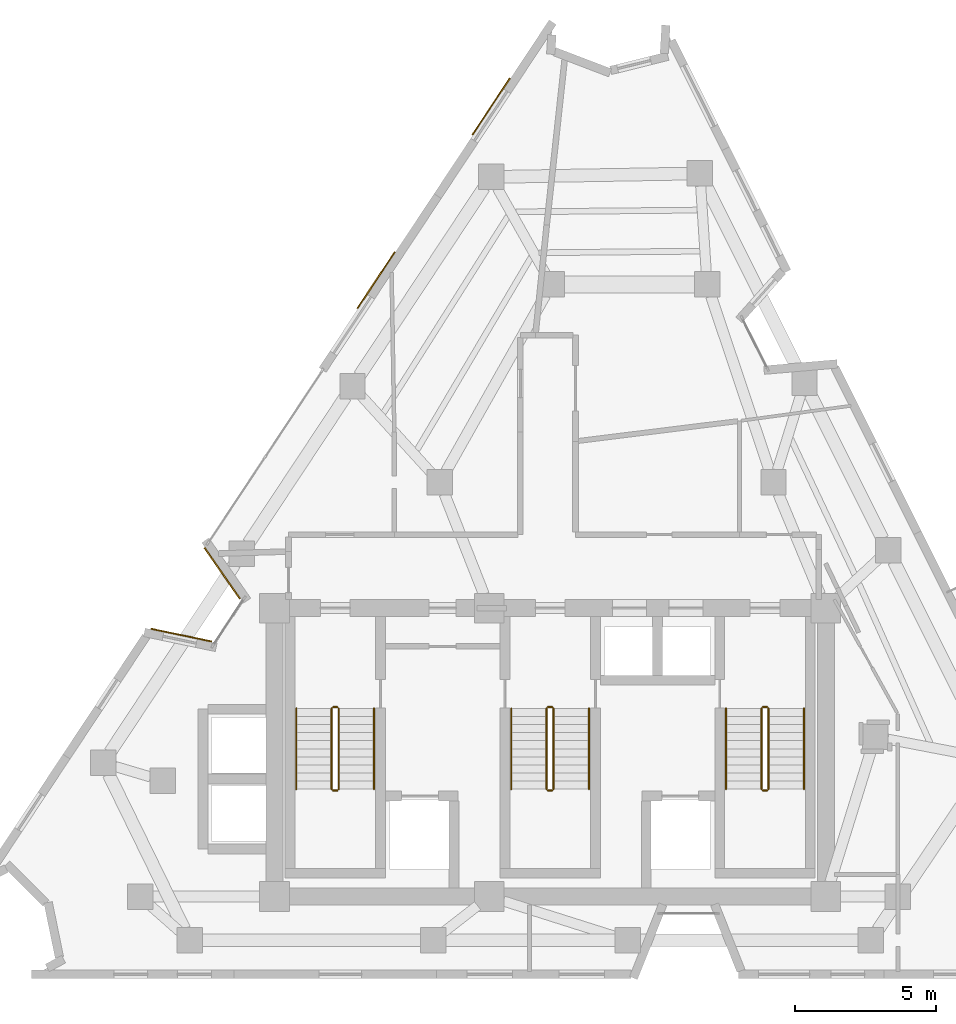
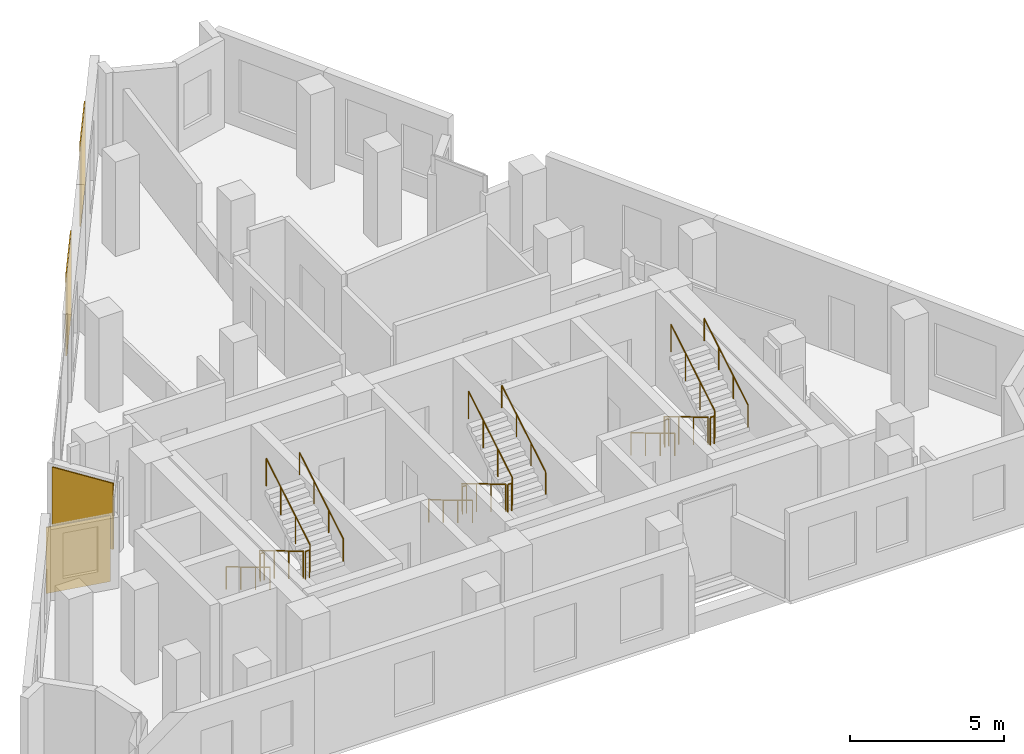
# One storey, part 8 of 9: 18 railings, 4 coverings.
"""IFC4 building model written with IfcOpenShell, lengths in metres."""

from ifc_helpers import new_model, si_unit, direction, frame, origin, origin_2d, place, context, subcontext, project, spatial, rectangle, circle, extrude, material, layer, layer_set, type_object, element, save


model = new_model("IFC4")

# Units and contexts
model_context = context("Model", 3, precision=1e-05, world=origin(), true_north=direction((0.0, 1.0)))
body_context = subcontext(model_context, "Body", "Model", "MODEL_VIEW")
ifc_project = project(units=[si_unit("LENGTHUNIT", "METRE"), si_unit("AREAUNIT", "SQUARE_METRE"), si_unit("VOLUMEUNIT", "CUBIC_METRE"), si_unit("PLANEANGLEUNIT", "RADIAN"), si_unit("MASSUNIT", "GRAM", prefix="KILO")], contexts=[model_context])

# Site, building, storey
site_placement = place(None, origin())
site = spatial("IfcSite", under=ifc_project, at=site_placement, CompositionType="ELEMENT")
building_placement = place(site_placement, origin())
building = spatial("IfcBuilding", under=site, at=building_placement, Name="Almagre Mirador Tower", CompositionType="ELEMENT")
storey_placement = place(building_placement, frame((0.0, 0.0, 267.0)))
storey = spatial("IfcBuildingStorey", under=building, at=storey_placement, Name="L69", CompositionType="ELEMENT", Elevation=267.0)

# Coverings
ifc_material_1 = material(Name="Almagre terracotta architectural cladding", Category="masonry")
ifc_layer = layer(ifc_material_1, 0.044921875)
ifc_layer_set = layer_set([ifc_layer], Name="Almagre terracotta architectural cladding")
covering_type = type_object("IfcCoveringType", Name="COV-CLAD-ALMAGRE", PredefinedType="CLADDING", material=ifc_layer_set)
for number, where, z_axis, x_axis, name in (
    (1, (24.25537109375, 13.794921875, 0.10009765625), (0.0, 0.0, 1.0), (0.978774490615, -0.204940226702, 0.0), "L69 almagre terracotta pier cladding"),
    (2, (25.704345703125, 15.98291015625, 0.10009765625), (0.0, 0.0, 1.0), (-0.570742230851, 0.821129286972, 0.0), "L69 almagre terracotta pier cladding"),
):
    element("IfcCovering", number, at=place(storey_placement, frame(where, z_axis=z_axis, x_axis=x_axis)), inside=storey, type_object=covering_type, Name=name, PredefinedType="CLADDING", context=body_context, shape_type="SweptSolid", body=[
        extrude(rectangle(XDim=2.193115234375, YDim=0.044921875, at=origin_2d()), origin(), (0.0, 0.0, 1.0), 2.625),
    ])
for number, where, z_axis, x_axis, name in (
    (3, (31.145263671875, 26.34326171875, 0.10009765625), (0.0, 0.0, 1.0), (0.552082517437, 0.83378947819, 0.0), "L69 almagre terracotta pier cladding"),
    (4, (35.2138671875, 32.48779296875, 0.10009765625), (0.0, 0.0, 1.0), (0.552082517437, 0.83378947819, 0.0), "L69 almagre terracotta pier cladding"),
):
    element("IfcCovering", number, at=place(storey_placement, frame(where, z_axis=z_axis, x_axis=x_axis)), inside=storey, type_object=covering_type, Name=name, PredefinedType="CLADDING", context=body_context, shape_type="SweptSolid", body=[
        extrude(rectangle(XDim=2.39990234375, YDim=0.044921875, at=origin_2d()), origin(), (0.0, 0.0, 1.0), 3.300048828125),
    ])

# Railings
ifc_material_2 = material(Name="Painted galvanized steel", Category="steel")
railing_type_1 = type_object("IfcRailingType", Name="RLG-GRD-1100", PredefinedType="GUARDRAIL", material=ifc_material_2)
railing_1_placement = place(storey_placement, frame((29.574951171875, 11.199951171875, 0.17041015625)))
element("IfcRailing", 5, at=railing_1_placement, inside=storey, type_object=railing_type_1, Name="L69 ST-1 stair guard 1", PredefinedType="GUARDRAIL", context=body_context, shape_type="SweptSolid", body=[
    extrude(circle(Radius=0.02392578125, at=origin_2d()), frame((0.0, 0.0, 1.09619140625), z_axis=(0.0, -0.858199205511, 0.513316786848), x_axis=(1.0, 0.0, 0.0)), (0.0, 0.0, 1.0), 3.32080078125),
    extrude(circle(Radius=0.02099609375, at=origin_2d()), origin(), (0.0, 0.0, 1.0), 1.072021484375),
    extrude(circle(Radius=0.02099609375, at=origin_2d()), frame((0.0, -0.949951171875, 0.568115234375)), (0.0, 0.0, 1.0), 1.072021484375),
    extrude(circle(Radius=0.02099609375, at=origin_2d()), frame((0.0, -1.89990234375, 1.136474609375)), (0.0, 0.0, 1.0), 1.072021484375),
    extrude(circle(Radius=0.02099609375, at=origin_2d()), frame((0.0, -2.849853515625, 1.70458984375)), (0.0, 0.0, 1.0), 1.072021484375),
])
railing_2_placement = place(storey_placement, frame((29.625, 8.300048828125, 1.875)))
element("IfcRailing", 6, at=railing_2_placement, inside=storey, type_object=railing_type_1, Name="L69 ST-1 stair guard 2", PredefinedType="GUARDRAIL", context=body_context, shape_type="SweptSolid", body=[
    extrude(circle(Radius=0.02392578125, at=origin_2d()), frame((0.0, 0.0, 1.09619140625), z_axis=(1.0, 0.0, 0.0), x_axis=(0.0, 1.0, 0.0)), (0.0, 0.0, 1.0), 0.14990234375),
    extrude(circle(Radius=0.02099609375, at=origin_2d()), origin(), (0.0, 0.0, 1.0), 1.072021484375),
    extrude(circle(Radius=0.02099609375, at=origin_2d()), frame((0.14990234375, 0.0, 0.0)), (0.0, 0.0, 1.0), 1.072021484375),
])
railing_3_placement = place(storey_placement, frame((29.824951171875, 8.35009765625, 2.04541015625)))
element("IfcRailing", 7, at=railing_3_placement, inside=storey, type_object=railing_type_1, Name="L69 ST-1 stair guard 3", PredefinedType="GUARDRAIL", context=body_context, shape_type="SweptSolid", body=[
    extrude(circle(Radius=0.02392578125, at=origin_2d()), frame((0.0, 0.0, 1.09619140625), z_axis=(0.0, 0.858199205511, 0.513316786848), x_axis=(-1.0, 0.0, 0.0)), (0.0, 0.0, 1.0), 3.32080078125),
    extrude(circle(Radius=0.02099609375, at=origin_2d()), origin(), (0.0, 0.0, 1.0), 1.072021484375),
    extrude(circle(Radius=0.02099609375, at=origin_2d()), frame((0.0, 0.949951171875, 0.568115234375)), (0.0, 0.0, 1.0), 1.072021484375),
    extrude(circle(Radius=0.02099609375, at=origin_2d()), frame((0.0, 1.89990234375, 1.136474609375)), (0.0, 0.0, 1.0), 1.072021484375),
    extrude(circle(Radius=0.02099609375, at=origin_2d()), frame((0.0, 2.849853515625, 1.70458984375)), (0.0, 0.0, 1.0), 1.072021484375),
])
railing_4_placement = place(storey_placement, frame((29.625, 11.25, 0.0)))
element("IfcRailing", 8, at=railing_4_placement, inside=storey, type_object=railing_type_1, Name="L69 ST-1 stair guard 4", PredefinedType="GUARDRAIL", context=body_context, shape_type="SweptSolid", body=[
    extrude(circle(Radius=0.02392578125, at=origin_2d()), frame((0.0, 0.0, 1.09619140625), z_axis=(1.0, 0.0, 0.0), x_axis=(0.0, 1.0, 0.0)), (0.0, 0.0, 1.0), 0.14990234375),
    extrude(circle(Radius=0.02099609375, at=origin_2d()), origin(), (0.0, 0.0, 1.0), 1.072021484375),
    extrude(circle(Radius=0.02099609375, at=origin_2d()), frame((0.14990234375, 0.0, 0.0)), (0.0, 0.0, 1.0), 1.072021484375),
])
railing_5_placement = place(storey_placement, frame((37.175048828125, 11.199951171875, 0.17041015625)))
element("IfcRailing", 9, at=railing_5_placement, inside=storey, type_object=railing_type_1, Name="L69 ST-2 stair guard 1", PredefinedType="GUARDRAIL", context=body_context, shape_type="SweptSolid", body=[
    extrude(circle(Radius=0.02392578125, at=origin_2d()), frame((0.0, 0.0, 1.09619140625), z_axis=(0.0, -0.858199205511, 0.513316786848), x_axis=(1.0, 0.0, 0.0)), (0.0, 0.0, 1.0), 3.32080078125),
    extrude(circle(Radius=0.02099609375, at=origin_2d()), origin(), (0.0, 0.0, 1.0), 1.072021484375),
    extrude(circle(Radius=0.02099609375, at=origin_2d()), frame((0.0, -0.949951171875, 0.568115234375)), (0.0, 0.0, 1.0), 1.072021484375),
    extrude(circle(Radius=0.02099609375, at=origin_2d()), frame((0.0, -1.89990234375, 1.136474609375)), (0.0, 0.0, 1.0), 1.072021484375),
    extrude(circle(Radius=0.02099609375, at=origin_2d()), frame((0.0, -2.849853515625, 1.70458984375)), (0.0, 0.0, 1.0), 1.072021484375),
])
railing_6_placement = place(storey_placement, frame((37.22509765625, 8.300048828125, 1.875)))
element("IfcRailing", 10, at=railing_6_placement, inside=storey, type_object=railing_type_1, Name="L69 ST-2 stair guard 2", PredefinedType="GUARDRAIL", context=body_context, shape_type="SweptSolid", body=[
    extrude(circle(Radius=0.02392578125, at=origin_2d()), frame((0.0, 0.0, 1.09619140625), z_axis=(1.0, 0.0, 0.0), x_axis=(0.0, 1.0, 0.0)), (0.0, 0.0, 1.0), 0.14990234375),
    extrude(circle(Radius=0.02099609375, at=origin_2d()), origin(), (0.0, 0.0, 1.0), 1.072021484375),
    extrude(circle(Radius=0.02099609375, at=origin_2d()), frame((0.14990234375, 0.0, 0.0)), (0.0, 0.0, 1.0), 1.072021484375),
])
railing_7_placement = place(storey_placement, frame((37.425048828125, 8.35009765625, 2.04541015625)))
element("IfcRailing", 11, at=railing_7_placement, inside=storey, type_object=railing_type_1, Name="L69 ST-2 stair guard 3", PredefinedType="GUARDRAIL", context=body_context, shape_type="SweptSolid", body=[
    extrude(circle(Radius=0.02392578125, at=origin_2d()), frame((0.0, 0.0, 1.09619140625), z_axis=(0.0, 0.858199205511, 0.513316786848), x_axis=(-1.0, 0.0, 0.0)), (0.0, 0.0, 1.0), 3.32080078125),
    extrude(circle(Radius=0.02099609375, at=origin_2d()), origin(), (0.0, 0.0, 1.0), 1.072021484375),
    extrude(circle(Radius=0.02099609375, at=origin_2d()), frame((0.0, 0.949951171875, 0.568115234375)), (0.0, 0.0, 1.0), 1.072021484375),
    extrude(circle(Radius=0.02099609375, at=origin_2d()), frame((0.0, 1.89990234375, 1.136474609375)), (0.0, 0.0, 1.0), 1.072021484375),
    extrude(circle(Radius=0.02099609375, at=origin_2d()), frame((0.0, 2.849853515625, 1.70458984375)), (0.0, 0.0, 1.0), 1.072021484375),
])
railing_8_placement = place(storey_placement, frame((37.22509765625, 11.25, 0.0)))
element("IfcRailing", 12, at=railing_8_placement, inside=storey, type_object=railing_type_1, Name="L69 ST-2 stair guard 4", PredefinedType="GUARDRAIL", context=body_context, shape_type="SweptSolid", body=[
    extrude(circle(Radius=0.02392578125, at=origin_2d()), frame((0.0, 0.0, 1.09619140625), z_axis=(1.0, 0.0, 0.0), x_axis=(0.0, 1.0, 0.0)), (0.0, 0.0, 1.0), 0.14990234375),
    extrude(circle(Radius=0.02099609375, at=origin_2d()), origin(), (0.0, 0.0, 1.0), 1.072021484375),
    extrude(circle(Radius=0.02099609375, at=origin_2d()), frame((0.14990234375, 0.0, 0.0)), (0.0, 0.0, 1.0), 1.072021484375),
])
railing_9_placement = place(storey_placement, frame((44.77490234375, 11.199951171875, 0.17041015625)))
element("IfcRailing", 13, at=railing_9_placement, inside=storey, type_object=railing_type_1, Name="L69 ST-3 stair guard 1", PredefinedType="GUARDRAIL", context=body_context, shape_type="SweptSolid", body=[
    extrude(circle(Radius=0.02392578125, at=origin_2d()), frame((0.0, 0.0, 1.09619140625), z_axis=(0.0, -0.858199205511, 0.513316786848), x_axis=(1.0, 0.0, 0.0)), (0.0, 0.0, 1.0), 3.32080078125),
    extrude(circle(Radius=0.02099609375, at=origin_2d()), origin(), (0.0, 0.0, 1.0), 1.072021484375),
    extrude(circle(Radius=0.02099609375, at=origin_2d()), frame((0.0, -0.949951171875, 0.568115234375)), (0.0, 0.0, 1.0), 1.072021484375),
    extrude(circle(Radius=0.02099609375, at=origin_2d()), frame((0.0, -1.89990234375, 1.136474609375)), (0.0, 0.0, 1.0), 1.072021484375),
    extrude(circle(Radius=0.02099609375, at=origin_2d()), frame((0.0, -2.849853515625, 1.70458984375)), (0.0, 0.0, 1.0), 1.072021484375),
])
railing_10_placement = place(storey_placement, frame((44.824951171875, 8.300048828125, 1.875)))
element("IfcRailing", 14, at=railing_10_placement, inside=storey, type_object=railing_type_1, Name="L69 ST-3 stair guard 2", PredefinedType="GUARDRAIL", context=body_context, shape_type="SweptSolid", body=[
    extrude(circle(Radius=0.02392578125, at=origin_2d()), frame((0.0, 0.0, 1.09619140625), z_axis=(1.0, 0.0, 0.0), x_axis=(0.0, 1.0, 0.0)), (0.0, 0.0, 1.0), 0.150146484375),
    extrude(circle(Radius=0.02099609375, at=origin_2d()), origin(), (0.0, 0.0, 1.0), 1.072021484375),
    extrude(circle(Radius=0.02099609375, at=origin_2d()), frame((0.150146484375, 0.0, 0.0)), (0.0, 0.0, 1.0), 1.072021484375),
])
railing_11_placement = place(storey_placement, frame((45.02490234375, 8.35009765625, 2.04541015625)))
element("IfcRailing", 15, at=railing_11_placement, inside=storey, type_object=railing_type_1, Name="L69 ST-3 stair guard 3", PredefinedType="GUARDRAIL", context=body_context, shape_type="SweptSolid", body=[
    extrude(circle(Radius=0.02392578125, at=origin_2d()), frame((0.0, 0.0, 1.09619140625), z_axis=(0.0, 0.858199205511, 0.513316786848), x_axis=(-1.0, 0.0, 0.0)), (0.0, 0.0, 1.0), 3.32080078125),
    extrude(circle(Radius=0.02099609375, at=origin_2d()), origin(), (0.0, 0.0, 1.0), 1.072021484375),
    extrude(circle(Radius=0.02099609375, at=origin_2d()), frame((0.0, 0.949951171875, 0.568115234375)), (0.0, 0.0, 1.0), 1.072021484375),
    extrude(circle(Radius=0.02099609375, at=origin_2d()), frame((0.0, 1.89990234375, 1.136474609375)), (0.0, 0.0, 1.0), 1.072021484375),
    extrude(circle(Radius=0.02099609375, at=origin_2d()), frame((0.0, 2.849853515625, 1.70458984375)), (0.0, 0.0, 1.0), 1.072021484375),
])
railing_12_placement = place(storey_placement, frame((44.824951171875, 11.25, 0.0)))
element("IfcRailing", 16, at=railing_12_placement, inside=storey, type_object=railing_type_1, Name="L69 ST-3 stair guard 4", PredefinedType="GUARDRAIL", context=body_context, shape_type="SweptSolid", body=[
    extrude(circle(Radius=0.02392578125, at=origin_2d()), frame((0.0, 0.0, 1.09619140625), z_axis=(1.0, 0.0, 0.0), x_axis=(0.0, 1.0, 0.0)), (0.0, 0.0, 1.0), 0.150146484375),
    extrude(circle(Radius=0.02099609375, at=origin_2d()), origin(), (0.0, 0.0, 1.0), 1.072021484375),
    extrude(circle(Radius=0.02099609375, at=origin_2d()), frame((0.150146484375, 0.0, 0.0)), (0.0, 0.0, 1.0), 1.072021484375),
])
ifc_material_3 = material(Name="Brushed stainless steel", Category="steel")
railing_type_2 = type_object("IfcRailingType", Name="RLG-HND-915", PredefinedType="HANDRAIL", material=ifc_material_3)
railing_13_placement = place(storey_placement, frame((28.324951171875, 11.199951171875, 0.17041015625)))
element("IfcRailing", 17, at=railing_13_placement, inside=storey, type_object=railing_type_2, Name="L69 ST-1 stair handrail 1", PredefinedType="HANDRAIL", context=body_context, shape_type="SweptSolid", body=[
    extrude(circle(Radius=0.02392578125, at=origin_2d()), frame((0.0, 0.0, 0.89111328125), z_axis=(0.0, -0.858199205511, 0.513316786848), x_axis=(1.0, 0.0, 0.0)), (0.0, 0.0, 1.0), 3.32080078125),
    extrude(circle(Radius=0.02099609375, at=origin_2d()), origin(), (0.0, 0.0, 1.0), 0.866943359375),
    extrude(circle(Radius=0.02099609375, at=origin_2d()), frame((0.0, -0.949951171875, 0.568115234375)), (0.0, 0.0, 1.0), 0.866943359375),
    extrude(circle(Radius=0.02099609375, at=origin_2d()), frame((0.0, -1.89990234375, 1.136474609375)), (0.0, 0.0, 1.0), 0.866943359375),
    extrude(circle(Radius=0.02099609375, at=origin_2d()), frame((0.0, -2.849853515625, 1.70458984375)), (0.0, 0.0, 1.0), 0.866943359375),
])
railing_14_placement = place(storey_placement, frame((31.074951171875, 8.35009765625, 2.04541015625)))
element("IfcRailing", 18, at=railing_14_placement, inside=storey, type_object=railing_type_2, Name="L69 ST-1 stair handrail 2", PredefinedType="HANDRAIL", context=body_context, shape_type="SweptSolid", body=[
    extrude(circle(Radius=0.02392578125, at=origin_2d()), frame((0.0, 0.0, 0.89111328125), z_axis=(0.0, 0.858199205511, 0.513316786848), x_axis=(-1.0, 0.0, 0.0)), (0.0, 0.0, 1.0), 3.32080078125),
    extrude(circle(Radius=0.02099609375, at=origin_2d()), origin(), (0.0, 0.0, 1.0), 0.866943359375),
    extrude(circle(Radius=0.02099609375, at=origin_2d()), frame((0.0, 0.949951171875, 0.568115234375)), (0.0, 0.0, 1.0), 0.866943359375),
    extrude(circle(Radius=0.02099609375, at=origin_2d()), frame((0.0, 1.89990234375, 1.136474609375)), (0.0, 0.0, 1.0), 0.866943359375),
    extrude(circle(Radius=0.02099609375, at=origin_2d()), frame((0.0, 2.849853515625, 1.70458984375)), (0.0, 0.0, 1.0), 0.866943359375),
])
railing_15_placement = place(storey_placement, frame((35.925048828125, 11.199951171875, 0.17041015625)))
element("IfcRailing", 19, at=railing_15_placement, inside=storey, type_object=railing_type_2, Name="L69 ST-2 stair handrail 1", PredefinedType="HANDRAIL", context=body_context, shape_type="SweptSolid", body=[
    extrude(circle(Radius=0.02392578125, at=origin_2d()), frame((0.0, 0.0, 0.89111328125), z_axis=(0.0, -0.858199205511, 0.513316786848), x_axis=(1.0, 0.0, 0.0)), (0.0, 0.0, 1.0), 3.32080078125),
    extrude(circle(Radius=0.02099609375, at=origin_2d()), origin(), (0.0, 0.0, 1.0), 0.866943359375),
    extrude(circle(Radius=0.02099609375, at=origin_2d()), frame((0.0, -0.949951171875, 0.568115234375)), (0.0, 0.0, 1.0), 0.866943359375),
    extrude(circle(Radius=0.02099609375, at=origin_2d()), frame((0.0, -1.89990234375, 1.136474609375)), (0.0, 0.0, 1.0), 0.866943359375),
    extrude(circle(Radius=0.02099609375, at=origin_2d()), frame((0.0, -2.849853515625, 1.70458984375)), (0.0, 0.0, 1.0), 0.866943359375),
])
railing_16_placement = place(storey_placement, frame((38.675048828125, 8.35009765625, 2.04541015625)))
element("IfcRailing", 20, at=railing_16_placement, inside=storey, type_object=railing_type_2, Name="L69 ST-2 stair handrail 2", PredefinedType="HANDRAIL", context=body_context, shape_type="SweptSolid", body=[
    extrude(circle(Radius=0.02392578125, at=origin_2d()), frame((0.0, 0.0, 0.89111328125), z_axis=(0.0, 0.858199205511, 0.513316786848), x_axis=(-1.0, 0.0, 0.0)), (0.0, 0.0, 1.0), 3.32080078125),
    extrude(circle(Radius=0.02099609375, at=origin_2d()), origin(), (0.0, 0.0, 1.0), 0.866943359375),
    extrude(circle(Radius=0.02099609375, at=origin_2d()), frame((0.0, 0.949951171875, 0.568115234375)), (0.0, 0.0, 1.0), 0.866943359375),
    extrude(circle(Radius=0.02099609375, at=origin_2d()), frame((0.0, 1.89990234375, 1.136474609375)), (0.0, 0.0, 1.0), 0.866943359375),
    extrude(circle(Radius=0.02099609375, at=origin_2d()), frame((0.0, 2.849853515625, 1.70458984375)), (0.0, 0.0, 1.0), 0.866943359375),
])
railing_17_placement = place(storey_placement, frame((43.52490234375, 11.199951171875, 0.17041015625)))
element("IfcRailing", 21, at=railing_17_placement, inside=storey, type_object=railing_type_2, Name="L69 ST-3 stair handrail 1", PredefinedType="HANDRAIL", context=body_context, shape_type="SweptSolid", body=[
    extrude(circle(Radius=0.02392578125, at=origin_2d()), frame((0.0, 0.0, 0.89111328125), z_axis=(0.0, -0.858199205511, 0.513316786848), x_axis=(1.0, 0.0, 0.0)), (0.0, 0.0, 1.0), 3.32080078125),
    extrude(circle(Radius=0.02099609375, at=origin_2d()), origin(), (0.0, 0.0, 1.0), 0.866943359375),
    extrude(circle(Radius=0.02099609375, at=origin_2d()), frame((0.0, -0.949951171875, 0.568115234375)), (0.0, 0.0, 1.0), 0.866943359375),
    extrude(circle(Radius=0.02099609375, at=origin_2d()), frame((0.0, -1.89990234375, 1.136474609375)), (0.0, 0.0, 1.0), 0.866943359375),
    extrude(circle(Radius=0.02099609375, at=origin_2d()), frame((0.0, -2.849853515625, 1.70458984375)), (0.0, 0.0, 1.0), 0.866943359375),
])
railing_18_placement = place(storey_placement, frame((46.27490234375, 8.35009765625, 2.04541015625)))
element("IfcRailing", 22, at=railing_18_placement, inside=storey, type_object=railing_type_2, Name="L69 ST-3 stair handrail 2", PredefinedType="HANDRAIL", context=body_context, shape_type="SweptSolid", body=[
    extrude(circle(Radius=0.02392578125, at=origin_2d()), frame((0.0, 0.0, 0.89111328125), z_axis=(0.0, 0.858199205511, 0.513316786848), x_axis=(-1.0, 0.0, 0.0)), (0.0, 0.0, 1.0), 3.32080078125),
    extrude(circle(Radius=0.02099609375, at=origin_2d()), origin(), (0.0, 0.0, 1.0), 0.866943359375),
    extrude(circle(Radius=0.02099609375, at=origin_2d()), frame((0.0, 0.949951171875, 0.568115234375)), (0.0, 0.0, 1.0), 0.866943359375),
    extrude(circle(Radius=0.02099609375, at=origin_2d()), frame((0.0, 1.89990234375, 1.136474609375)), (0.0, 0.0, 1.0), 0.866943359375),
    extrude(circle(Radius=0.02099609375, at=origin_2d()), frame((0.0, 2.849853515625, 1.70458984375)), (0.0, 0.0, 1.0), 0.866943359375),
])

save(model, "model.ifc")
